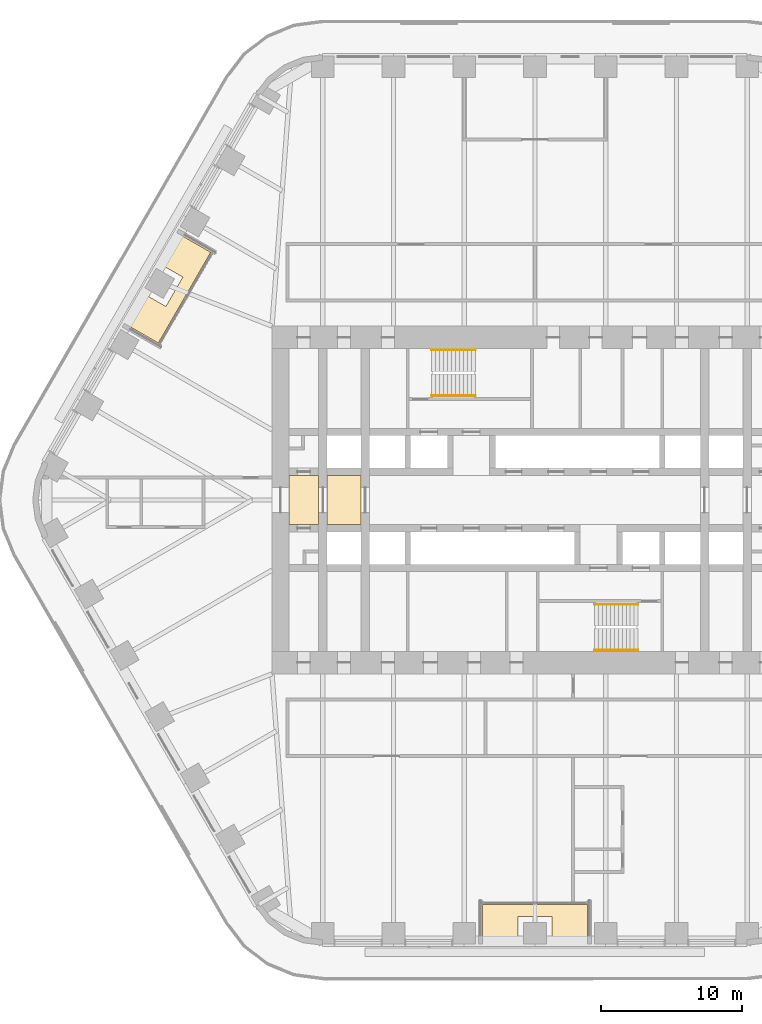
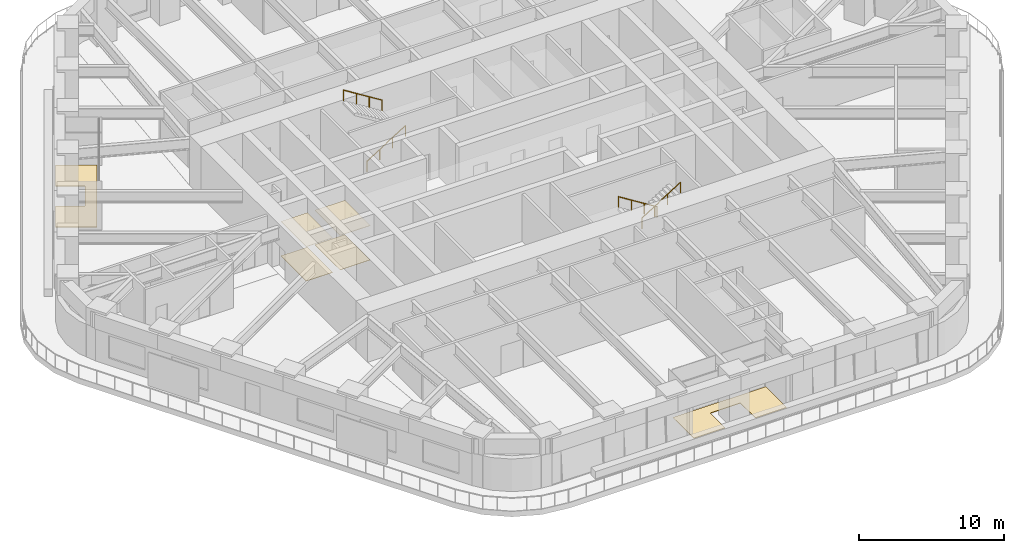
# One storey, part 22 of 24: 6 coverings, 4 railings.
"""IFC4 building model written with IfcOpenShell, lengths in metres."""

from ifc_helpers import new_model, si_unit, direction, frame, origin, origin_2d, place, context, subcontext, project, spatial, polyline, circle, outline, extrude, material, layer, layer_set, type_object, element, save


model = new_model("IFC4")

# Units and contexts
model_context = context("Model", 3, precision=1e-05, world=origin(), true_north=direction((0.0, 1.0)))
body_context = subcontext(model_context, "Body", "Model", "MODEL_VIEW")
ifc_project = project(units=[si_unit("LENGTHUNIT", "METRE"), si_unit("AREAUNIT", "SQUARE_METRE"), si_unit("VOLUMEUNIT", "CUBIC_METRE"), si_unit("PLANEANGLEUNIT", "RADIAN"), si_unit("MASSUNIT", "GRAM", prefix="KILO")], contexts=[model_context])

# Site, building, storey
site_placement = place(None, origin())
site = spatial("IfcSite", under=ifc_project, at=site_placement, CompositionType="ELEMENT")
building_placement = place(site_placement, origin())
building = spatial("IfcBuilding", under=site, at=building_placement, Name="Tarfa Lantern Tower", CompositionType="ELEMENT")
storey_placement = place(building_placement, frame((0.0, 0.0, 157.300048828125)))
storey = spatial("IfcBuildingStorey", under=building, at=storey_placement, Name="L35", CompositionType="ELEMENT", Elevation=157.300048828125)

# Coverings
ifc_material_1 = material(Name="Powder-coated aluminium panel", Category="aluminium")
ifc_layer_1 = layer(ifc_material_1, 0.030029296875)
ifc_layer_set_1 = layer_set([ifc_layer_1], Name="CL3 METAL PANEL CEILING 30")
covering_type_1 = type_object("IfcCoveringType", Name="CL3 METAL PANEL CEILING 30", PredefinedType="CEILING", material=ifc_layer_set_1)
covering_1_placement = place(storey_placement, frame((0.0, 0.0, 2.89990234375)))
element("IfcCovering", 1, at=covering_1_placement, inside=storey, type_object=covering_type_1, Name="Ceiling L35-01", PredefinedType="CEILING", context=body_context, shape_type="SweptSolid", body=[
    extrude(outline(polyline([(-17.39990234375, -1.75), (-15.300048828125, -1.75), (-15.300048828125, 1.75), (-17.39990234375, 1.75), (-17.39990234375, -1.75)])), origin(), (0.0, 0.0, 1.0), 0.030029296875),
])
covering_2_placement = place(storey_placement, frame((0.0, 0.0, 2.89990234375)))
element("IfcCovering", 2, at=covering_2_placement, inside=storey, type_object=covering_type_1, Name="Ceiling L35-02", PredefinedType="CEILING", context=body_context, shape_type="SweptSolid", body=[
    extrude(outline(polyline([(-14.699951171875, -1.75), (-12.300048828125, -1.75), (-12.300048828125, 1.75), (-14.699951171875, 1.75), (-14.699951171875, -1.75)])), origin(), (0.0, 0.0, 1.0), 0.030029296875),
])
ifc_material_2 = material(Name="Honed limestone flooring", Category="masonry")
ifc_layer_2 = layer(ifc_material_2, 0.030029296875)
ifc_layer_set_2 = layer_set([ifc_layer_2], Name="FL2 STONE FLOORING 30")
covering_type_2 = type_object("IfcCoveringType", Name="FL2 STONE FLOORING 30", PredefinedType="FLOORING", material=ifc_layer_set_2)
covering_3_placement = place(storey_placement, origin())
element("IfcCovering", 3, at=covering_3_placement, inside=storey, type_object=covering_type_2, Name="Floor finish L35-01", PredefinedType="FLOORING", context=body_context, shape_type="SweptSolid", body=[
    extrude(outline(polyline([(-17.39990234375, -1.75), (-15.300048828125, -1.75), (-15.300048828125, 1.75), (-17.39990234375, 1.75), (-17.39990234375, -1.75)])), origin(), (0.0, 0.0, 1.0), 0.030029296875),
])
covering_4_placement = place(storey_placement, origin())
element("IfcCovering", 4, at=covering_4_placement, inside=storey, type_object=covering_type_2, Name="Floor finish L35-02", PredefinedType="FLOORING", context=body_context, shape_type="SweptSolid", body=[
    extrude(outline(polyline([(-14.699951171875, -1.75), (-12.300048828125, -1.75), (-12.300048828125, 1.75), (-14.699951171875, 1.75), (-14.699951171875, -1.75)])), origin(), (0.0, 0.0, 1.0), 0.030029296875),
])

# Railings
ifc_material_3 = material(Name="Stainless steel", Category="steel")
railing_type = type_object("IfcRailingType", Name="HR1 HANDRAIL 900", PredefinedType="HANDRAIL", material=ifc_material_3)
railing_1_placement = place(storey_placement, frame((-7.300048828125, 7.3798828125, 0.175048828125)))
element("IfcRailing", 5, at=railing_1_placement, inside=storey, type_object=railing_type, Name="Handrail 1", PredefinedType="HANDRAIL", context=body_context, shape_type="SweptSolid", body=[
    extrude(circle(Radius=0.02392578125, at=origin_2d()), frame((0.0, 0.0, 0.8759765625), z_axis=(0.848028513186, 0.0, 0.529950602248), x_axis=(0.0, 1.0, 0.0)), (0.0, 0.0, 1.0), 3.632080078125),
    extrude(circle(Radius=0.02099609375, at=origin_2d()), frame((0.0, 0.0, 0.0), z_axis=(0.0, 0.0, 1.0), x_axis=(0.0, 1.0, 0.0)), (0.0, 0.0, 1.0), 0.851806640625),
    extrude(circle(Radius=0.02099609375, at=origin_2d()), frame((1.026611328125, 0.0, 0.6416015625), z_axis=(0.0, 0.0, 1.0), x_axis=(0.0, 1.0, 0.0)), (0.0, 0.0, 1.0), 0.851806640625),
    extrude(circle(Radius=0.02099609375, at=origin_2d()), frame((2.053466796875, 0.0, 1.283203125), z_axis=(0.0, 0.0, 1.0), x_axis=(0.0, 1.0, 0.0)), (0.0, 0.0, 1.0), 0.851806640625),
    extrude(circle(Radius=0.02099609375, at=origin_2d()), frame((3.080078125, 0.0, 1.9248046875), z_axis=(0.0, 0.0, 1.0), x_axis=(0.0, 1.0, 0.0)), (0.0, 0.0, 1.0), 0.851806640625),
])
railing_2_placement = place(storey_placement, frame((-4.219970703125, 10.6201171875, 2.27490234375)))
element("IfcRailing", 6, at=railing_2_placement, inside=storey, type_object=railing_type, Name="Handrail 2", PredefinedType="HANDRAIL", context=body_context, shape_type="SweptSolid", body=[
    extrude(circle(Radius=0.02392578125, at=origin_2d()), frame((0.0, 0.0, 0.8759765625), z_axis=(-0.847998304005, 0.0, 0.529998940003), x_axis=(0.0, -1.0, 0.0)), (0.0, 0.0, 1.0), 3.632080078125),
    extrude(circle(Radius=0.02099609375, at=origin_2d()), frame((0.0, 0.0, 0.0), z_axis=(0.0, 0.0, 1.0), x_axis=(0.0, -1.0, 0.0)), (0.0, 0.0, 1.0), 0.851806640625),
    extrude(circle(Radius=0.02099609375, at=origin_2d()), frame((-1.026611328125, 0.0, 0.6416015625), z_axis=(0.0, 0.0, 1.0), x_axis=(0.0, -1.0, 0.0)), (0.0, 0.0, 1.0), 0.851806640625),
    extrude(circle(Radius=0.02099609375, at=origin_2d()), frame((-2.053466796875, 0.0, 1.283447265625), z_axis=(0.0, 0.0, 1.0), x_axis=(0.0, -1.0, 0.0)), (0.0, 0.0, 1.0), 0.851806640625),
    extrude(circle(Radius=0.02099609375, at=origin_2d()), frame((-3.080078125, 0.0, 1.925048828125), z_axis=(0.0, 0.0, 1.0), x_axis=(0.0, -1.0, 0.0)), (0.0, 0.0, 1.0), 0.851806640625),
])
railing_3_placement = place(storey_placement, frame((7.300048828125, -7.3798828125, 0.175048828125)))
element("IfcRailing", 7, at=railing_3_placement, inside=storey, type_object=railing_type, Name="Handrail 1", PredefinedType="HANDRAIL", context=body_context, shape_type="SweptSolid", body=[
    extrude(circle(Radius=0.02392578125, at=origin_2d()), frame((0.0, 0.0, 0.8759765625), z_axis=(-0.848028513186, 0.0, 0.529950602248), x_axis=(0.0, -1.0, 0.0)), (0.0, 0.0, 1.0), 3.632080078125),
    extrude(circle(Radius=0.02099609375, at=origin_2d()), frame((0.0, 0.0, 0.0), z_axis=(0.0, 0.0, 1.0), x_axis=(0.0, -1.0, 0.0)), (0.0, 0.0, 1.0), 0.851806640625),
    extrude(circle(Radius=0.02099609375, at=origin_2d()), frame((-1.026611328125, 0.0, 0.6416015625), z_axis=(0.0, 0.0, 1.0), x_axis=(0.0, -1.0, 0.0)), (0.0, 0.0, 1.0), 0.851806640625),
    extrude(circle(Radius=0.02099609375, at=origin_2d()), frame((-2.053466796875, 0.0, 1.283203125), z_axis=(0.0, 0.0, 1.0), x_axis=(0.0, -1.0, 0.0)), (0.0, 0.0, 1.0), 0.851806640625),
    extrude(circle(Radius=0.02099609375, at=origin_2d()), frame((-3.080078125, 0.0, 1.9248046875), z_axis=(0.0, 0.0, 1.0), x_axis=(0.0, -1.0, 0.0)), (0.0, 0.0, 1.0), 0.851806640625),
])
railing_4_placement = place(storey_placement, frame((4.219970703125, -10.6201171875, 2.27490234375)))
element("IfcRailing", 8, at=railing_4_placement, inside=storey, type_object=railing_type, Name="Handrail 2", PredefinedType="HANDRAIL", context=body_context, shape_type="SweptSolid", body=[
    extrude(circle(Radius=0.02392578125, at=origin_2d()), frame((0.0, 0.0, 0.8759765625), z_axis=(0.847998304005, 0.0, 0.529998940003), x_axis=(0.0, 1.0, 0.0)), (0.0, 0.0, 1.0), 3.632080078125),
    extrude(circle(Radius=0.02099609375, at=origin_2d()), frame((0.0, 0.0, 0.0), z_axis=(0.0, 0.0, 1.0), x_axis=(0.0, 1.0, 0.0)), (0.0, 0.0, 1.0), 0.851806640625),
    extrude(circle(Radius=0.02099609375, at=origin_2d()), frame((1.026611328125, 0.0, 0.6416015625), z_axis=(0.0, 0.0, 1.0), x_axis=(0.0, 1.0, 0.0)), (0.0, 0.0, 1.0), 0.851806640625),
    extrude(circle(Radius=0.02099609375, at=origin_2d()), frame((2.053466796875, 0.0, 1.283447265625), z_axis=(0.0, 0.0, 1.0), x_axis=(0.0, 1.0, 0.0)), (0.0, 0.0, 1.0), 0.851806640625),
    extrude(circle(Radius=0.02099609375, at=origin_2d()), frame((3.080078125, 0.0, 1.925048828125), z_axis=(0.0, 0.0, 1.0), x_axis=(0.0, 1.0, 0.0)), (0.0, 0.0, 1.0), 0.851806640625),
])

# Coverings
ifc_material_4 = material(Name="Porcelain pavers on pedestals", Category="ceramic")
ifc_layer_3 = layer(ifc_material_4, 0.0400390625)
ifc_layer_set_3 = layer_set([ifc_layer_3], Name="LP1 LOGGIA PAVING 40")
covering_type_3 = type_object("IfcCoveringType", Name="LP1 LOGGIA PAVING 40", PredefinedType="FLOORING", material=ifc_layer_set_3)
covering_5_placement = place(storey_placement, origin())
element("IfcCovering", 9, at=covering_5_placement, inside=storey, type_object=covering_type_3, Name="Loggia paving NW", PredefinedType="FLOORING", context=body_context, shape_type="SweptSolid", body=[
    extrude(outline(polyline([(-25.427978515625, 18.95751953125), (-22.933837890625, 17.517578125), (-26.637451171875, 11.1025390625), (-29.131591796875, 12.54248046875), (-27.8798828125, 14.710693359375), (-26.1044921875, 13.685791015625), (-24.904541015625, 15.76416015625), (-26.6796875, 16.789306640625), (-25.427978515625, 18.95751953125)])), origin(), (0.0, 0.0, 1.0), 0.0400390625),
])
covering_6_placement = place(storey_placement, origin())
element("IfcCovering", 10, at=covering_6_placement, inside=storey, type_object=covering_type_3, Name="Loggia paving S", PredefinedType="FLOORING", context=body_context, shape_type="SweptSolid", body=[
    extrude(outline(polyline([(-3.70361328125, -31.5), (-3.70361328125, -28.6201171875), (3.70361328125, -28.6201171875), (3.70361328125, -31.5), (1.199951171875, -31.5), (1.199951171875, -29.449951171875), (-1.199951171875, -29.449951171875), (-1.199951171875, -31.5), (-3.70361328125, -31.5)])), origin(), (0.0, 0.0, 1.0), 0.0400390625),
])

save(model, "model.ifc")
